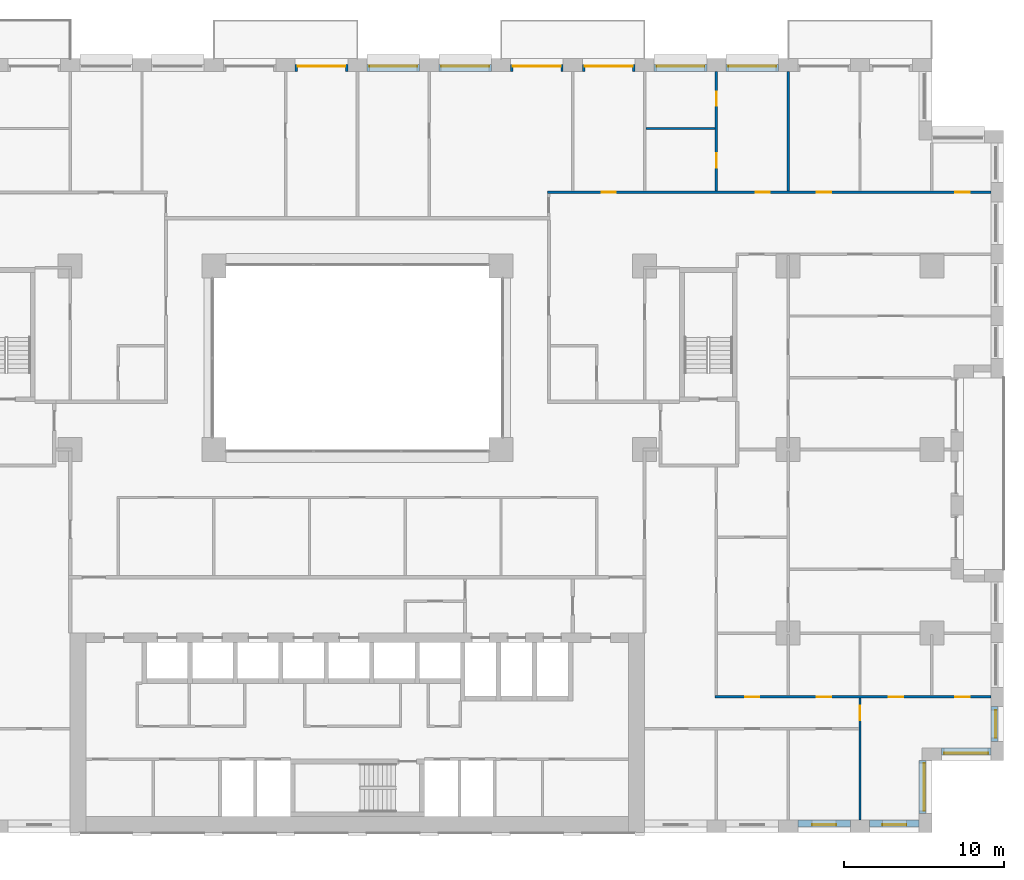
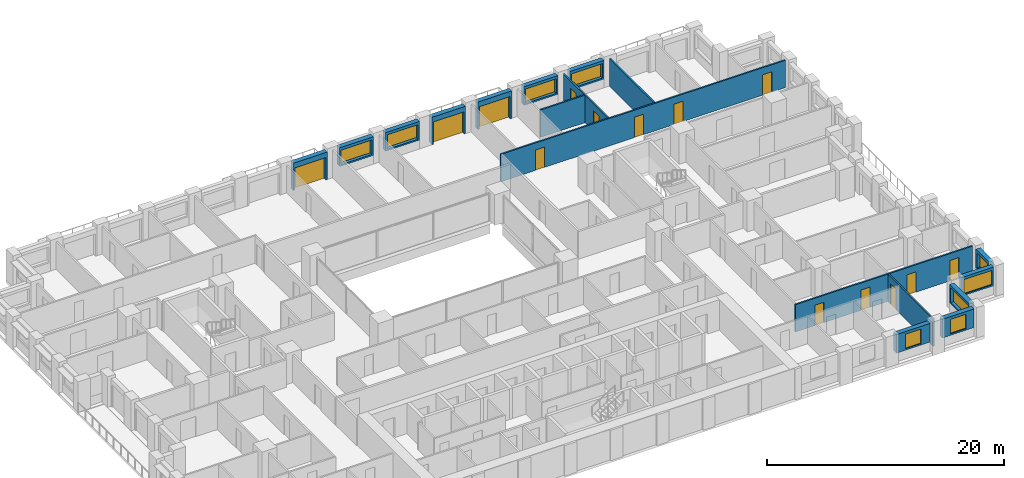
# One storey, part 15 of 19: 18 walls, 14 doors, 9 windows, 23 openings.
"""IFC4 building model written with IfcOpenShell, lengths in metres."""

from ifc_helpers import new_model, si_unit, direction, frame, frame_2d, origin, place, context, subcontext, project, spatial, rectangle, extrude, material, layer, layer_set, type_object, element, fill, save


model = new_model("IFC4")

# Units and contexts
model_context = context("Model", 3, precision=1e-05, world=origin(), true_north=direction((0.0, 1.0)))
body_context = subcontext(model_context, "Body", "Model", "MODEL_VIEW")
ifc_project = project(units=[si_unit("LENGTHUNIT", "METRE"), si_unit("AREAUNIT", "SQUARE_METRE"), si_unit("VOLUMEUNIT", "CUBIC_METRE"), si_unit("PLANEANGLEUNIT", "RADIAN"), si_unit("MASSUNIT", "GRAM", prefix="KILO")], contexts=[model_context])

# Site, building, storey
site_placement = place(None, origin())
site = spatial("IfcSite", under=ifc_project, at=site_placement, CompositionType="ELEMENT")
building_placement = place(site_placement, origin())
building = spatial("IfcBuilding", under=site, at=building_placement, Name="Brigalow Station Residences", CompositionType="ELEMENT")
storey_placement = place(building_placement, frame((0.0, 0.0, 19.5)))
storey = spatial("IfcBuildingStorey", under=building, at=storey_placement, Name="L04", CompositionType="ELEMENT", Elevation=19.5)

# Wall, opening, window
ifc_material_1 = material(Name="Clay brick masonry", Category="masonry")
ifc_layer_1 = layer(ifc_material_1, 0.449951171875)
ifc_layer_set_1 = layer_set([ifc_layer_1], Name="BRICK INFILL WALL 450")
wall_type_1 = type_object("IfcWallType", Name="BRICK INFILL WALL 450", PredefinedType="SOLIDWALL", material=ifc_layer_set_1)
wall_1_placement = place(storey_placement, frame((63.60009765625, 0.574951171875, 0.89990234375), z_axis=(0.0, 0.0, 1.0), x_axis=(1.0, 0.0, 0.0)))
wall_1 = element("IfcWall", 1, at=wall_1_placement, inside=storey, type_object=wall_type_1, Name="L04/ewall/W-L04-7", PredefinedType="SOLIDWALL", context=body_context, shape_type="SweptSolid", body=[
    extrude(rectangle(XDim=3.2998046875, YDim=0.449951171875, at=frame_2d((1.64990234375, 0.0))), origin(), (0.0, 0.0, 1.0), 1.93017578125),
])
opening_1_placement = place(wall_1_placement, frame((0.89990234375, 0.0, 0.14990234375)))
opening_1 = element("IfcOpeningElement", 2, at=opening_1_placement, cuts=wall_1, Name="Opening WT-1", PredefinedType="OPENING", context=body_context, shape_type="SweptSolid", body=[
    extrude(rectangle(XDim=1.5, YDim=1.5, at=frame_2d((0.75, 0.75))), frame((0.0, 0.23486328125, 0.0), z_axis=(0.0, -1.0, 0.0), x_axis=(1.0, 0.0, 0.0)), (0.0, 0.0, 1.0), 0.469970703125),
])
ifc_material_2 = material(Name="Anodised aluminium frame with double glazing", Category="aluminium")
window_type_1 = type_object("IfcWindowType", Name="WINDOW 1500x1500", PartitioningType="SINGLE_PANEL", PredefinedType="WINDOW", material=ifc_material_2)
window_1_placement = place(opening_1_placement, origin())
window_1 = element("IfcWindow", 3, at=window_1_placement, inside=storey, type_object=window_type_1, Name="L04/window/W-L04-7", OverallHeight=1.5, OverallWidth=1.5, PartitioningType="SINGLE_PANEL", PredefinedType="WINDOW", context=body_context, shape_type="SweptSolid", body=[
    extrude(rectangle(XDim=1.5, YDim=1.5, at=frame_2d((0.75, 0.75))), frame((0.0, -0.06494140625, 0.0), z_axis=(0.0, -1.0, 0.0), x_axis=(1.0, 0.0, 0.0)), (0.0, 0.0, 1.0), 0.06005859375),
])
fill(opening_1, window_1)

wall_2_placement = place(storey_placement, frame((68.10009765625, 0.574951171875, 0.89990234375), z_axis=(0.0, 0.0, 1.0), x_axis=(1.0, 0.0, 0.0)))
wall_2 = element("IfcWall", 4, at=wall_2_placement, inside=storey, type_object=wall_type_1, Name="L04/ewall/W-L04-8", PredefinedType="SOLIDWALL", context=body_context, shape_type="SweptSolid", body=[
    extrude(rectangle(XDim=3.099853515625, YDim=0.449951171875, at=frame_2d((1.5498046875, 0.0))), origin(), (0.0, 0.0, 1.0), 1.93017578125),
])
opening_2_placement = place(wall_2_placement, frame((0.800048828125, 0.0, 0.14990234375)))
opening_2 = element("IfcOpeningElement", 5, at=opening_2_placement, cuts=wall_2, Name="Opening WT-1", PredefinedType="OPENING", context=body_context, shape_type="SweptSolid", body=[
    extrude(rectangle(XDim=1.5, YDim=1.5, at=frame_2d((0.75, 0.75))), frame((0.0, 0.23486328125, 0.0), z_axis=(0.0, -1.0, 0.0), x_axis=(1.0, 0.0, 0.0)), (0.0, 0.0, 1.0), 0.469970703125),
])
window_2_placement = place(opening_2_placement, origin())
window_2 = element("IfcWindow", 6, at=window_2_placement, inside=storey, type_object=window_type_1, Name="L04/window/W-L04-8", OverallHeight=1.5, OverallWidth=1.5, PartitioningType="SINGLE_PANEL", PredefinedType="WINDOW", context=body_context, shape_type="SweptSolid", body=[
    extrude(rectangle(XDim=1.5, YDim=1.5, at=frame_2d((0.75, 0.75))), frame((0.0, -0.06494140625, 0.0), z_axis=(0.0, -1.0, 0.0), x_axis=(1.0, 0.0, 0.0)), (0.0, 0.0, 1.0), 0.06005859375),
])
fill(opening_2, window_2)

wall_3_placement = place(storey_placement, frame((71.425048828125, 1.199951171875, 0.89990234375), z_axis=(0.0, 0.0, 1.0), x_axis=(0.0, 1.0, 0.0)))
wall_3 = element("IfcWall", 7, at=wall_3_placement, inside=storey, type_object=wall_type_1, Name="L04/ewall/W-L04-9", PredefinedType="SOLIDWALL", context=body_context, shape_type="SweptSolid", body=[
    extrude(rectangle(XDim=3.300048828125, YDim=0.449951171875, at=frame_2d((1.64990234375, 0.0))), origin(), (0.0, 0.0, 1.0), 1.93017578125),
])
opening_3_placement = place(wall_3_placement, frame((0.14990234375, 0.0, 0.14990234375)))
opening_3 = element("IfcOpeningElement", 8, at=opening_3_placement, cuts=wall_3, Name="Opening WT-2", PredefinedType="OPENING", context=body_context, shape_type="SweptSolid", body=[
    extrude(rectangle(XDim=3.0, YDim=1.5, at=frame_2d((1.5, 0.75))), frame((0.0, 0.23486328125, 0.0), z_axis=(0.0, -1.0, 0.0), x_axis=(1.0, 0.0, 0.0)), (0.0, 0.0, 1.0), 0.469970703125),
])
ifc_material_3 = material(Name="Anodised aluminium frame with double glazing", Category="aluminium")
window_type_2 = type_object("IfcWindowType", Name="WINDOW 3000x1500", PartitioningType="SINGLE_PANEL", PredefinedType="WINDOW", material=ifc_material_3)
window_3_placement = place(opening_3_placement, origin())
window_3 = element("IfcWindow", 9, at=window_3_placement, inside=storey, type_object=window_type_2, Name="L04/window/W-L04-9", OverallHeight=1.5, OverallWidth=3.0, PartitioningType="SINGLE_PANEL", PredefinedType="WINDOW", context=body_context, shape_type="SweptSolid", body=[
    extrude(rectangle(XDim=3.0, YDim=1.5, at=frame_2d((1.5, 0.75))), frame((0.0, -0.06494140625, 0.0), z_axis=(0.0, -1.0, 0.0), x_axis=(1.0, 0.0, 0.0)), (0.0, 0.0, 1.0), 0.06005859375),
])
fill(opening_3, window_3)

wall_4_placement = place(storey_placement, frame((72.60009765625, 5.074951171875, 0.89990234375), z_axis=(0.0, 0.0, 1.0), x_axis=(1.0, 0.0, 0.0)))
wall_4 = element("IfcWall", 10, at=wall_4_placement, inside=storey, type_object=wall_type_1, Name="L04/ewall/W-L04-10", PredefinedType="SOLIDWALL", context=body_context, shape_type="SweptSolid", body=[
    extrude(rectangle(XDim=3.099853515625, YDim=0.449951171875, at=frame_2d((1.5498046875, 0.0))), origin(), (0.0, 0.0, 1.0), 1.93017578125),
])
opening_4_placement = place(wall_4_placement, frame((0.175048828125, 0.0, 0.14990234375)))
opening_4 = element("IfcOpeningElement", 11, at=opening_4_placement, cuts=wall_4, Name="Opening WT-3", PredefinedType="OPENING", context=body_context, shape_type="SweptSolid", body=[
    extrude(rectangle(XDim=2.75, YDim=1.5, at=frame_2d((1.375, 0.75))), frame((0.0, 0.23486328125, 0.0), z_axis=(0.0, -1.0, 0.0), x_axis=(1.0, 0.0, 0.0)), (0.0, 0.0, 1.0), 0.469970703125),
])
ifc_material_4 = material(Name="Anodised aluminium frame with double glazing", Category="aluminium")
window_type_3 = type_object("IfcWindowType", Name="WINDOW 2750x1500", PartitioningType="SINGLE_PANEL", PredefinedType="WINDOW", material=ifc_material_4)
window_4_placement = place(opening_4_placement, origin())
window_4 = element("IfcWindow", 12, at=window_4_placement, inside=storey, type_object=window_type_3, Name="L04/window/W-L04-10", OverallHeight=1.5, OverallWidth=2.75, PartitioningType="SINGLE_PANEL", PredefinedType="WINDOW", context=body_context, shape_type="SweptSolid", body=[
    extrude(rectangle(XDim=2.75, YDim=1.5, at=frame_2d((1.375, 0.75))), frame((0.0, -0.06494140625, 0.0), z_axis=(0.0, -1.0, 0.0), x_axis=(1.0, 0.0, 0.0)), (0.0, 0.0, 1.0), 0.06005859375),
])
fill(opening_4, window_4)

wall_5_placement = place(storey_placement, frame((75.925048828125, 5.699951171875, 0.89990234375), z_axis=(0.0, 0.0, 1.0), x_axis=(0.0, 1.0, 0.0)))
wall_5 = element("IfcWall", 13, at=wall_5_placement, inside=storey, type_object=wall_type_1, Name="L04/ewall/W-L04-11", PredefinedType="SOLIDWALL", context=body_context, shape_type="SweptSolid", body=[
    extrude(rectangle(XDim=2.199951171875, YDim=0.449951171875, at=frame_2d((1.10009765625, 0.0))), origin(), (0.0, 0.0, 1.0), 1.93017578125),
])
opening_5_placement = place(wall_5_placement, frame((0.22509765625, 0.0, 0.14990234375)))
opening_5 = element("IfcOpeningElement", 14, at=opening_5_placement, cuts=wall_5, Name="Opening WT-4", PredefinedType="OPENING", context=body_context, shape_type="SweptSolid", body=[
    extrude(rectangle(XDim=1.75, YDim=1.5, at=frame_2d((0.875, 0.75))), frame((0.0, 0.23486328125, 0.0), z_axis=(0.0, -1.0, 0.0), x_axis=(1.0, 0.0, 0.0)), (0.0, 0.0, 1.0), 0.469970703125),
])
ifc_material_5 = material(Name="Anodised aluminium frame with double glazing", Category="aluminium")
window_type_4 = type_object("IfcWindowType", Name="WINDOW 1750x1500", PartitioningType="SINGLE_PANEL", PredefinedType="WINDOW", material=ifc_material_5)
window_5_placement = place(opening_5_placement, origin())
window_5 = element("IfcWindow", 15, at=window_5_placement, inside=storey, type_object=window_type_4, Name="L04/window/W-L04-11", OverallHeight=1.5, OverallWidth=1.75, PartitioningType="SINGLE_PANEL", PredefinedType="WINDOW", context=body_context, shape_type="SweptSolid", body=[
    extrude(rectangle(XDim=1.75, YDim=1.5, at=frame_2d((0.875, 0.75))), frame((0.0, -0.06494140625, 0.0), z_axis=(0.0, -1.0, 0.0), x_axis=(1.0, 0.0, 0.0)), (0.0, 0.0, 1.0), 0.06005859375),
])
fill(opening_5, window_5)

wall_6_placement = place(storey_placement, frame((62.39990234375, 47.925048828125, 0.89990234375), z_axis=(0.0, 0.0, 1.0), x_axis=(-1.0, 0.0, 0.0)))
wall_6 = element("IfcWall", 16, at=wall_6_placement, inside=storey, type_object=wall_type_1, Name="L04/ewall/W-L04-27", PredefinedType="SOLIDWALL", context=body_context, shape_type="SweptSolid", body=[
    extrude(rectangle(XDim=3.2998046875, YDim=0.449951171875, at=frame_2d((1.64990234375, 0.0))), origin(), (0.0, 0.0, 1.0), 1.93017578125),
])
opening_6_placement = place(wall_6_placement, frame((0.14990234375, 0.0, 0.14990234375)))
opening_6 = element("IfcOpeningElement", 17, at=opening_6_placement, cuts=wall_6, Name="Opening WT-2", PredefinedType="OPENING", context=body_context, shape_type="SweptSolid", body=[
    extrude(rectangle(XDim=3.0, YDim=1.5, at=frame_2d((1.5, 0.75))), frame((0.0, 0.23486328125, 0.0), z_axis=(0.0, -1.0, 0.0), x_axis=(1.0, 0.0, 0.0)), (0.0, 0.0, 1.0), 0.469970703125),
])
window_6_placement = place(opening_6_placement, origin())
window_6 = element("IfcWindow", 18, at=window_6_placement, inside=storey, type_object=window_type_2, Name="L04/window/W-L04-27", OverallHeight=1.5, OverallWidth=3.0, PartitioningType="SINGLE_PANEL", PredefinedType="WINDOW", context=body_context, shape_type="SweptSolid", body=[
    extrude(rectangle(XDim=3.0, YDim=1.5, at=frame_2d((1.5, 0.75))), frame((0.0, -0.06494140625, 0.0), z_axis=(0.0, -1.0, 0.0), x_axis=(1.0, 0.0, 0.0)), (0.0, 0.0, 1.0), 0.06005859375),
])
fill(opening_6, window_6)

wall_7_placement = place(storey_placement, frame((57.89990234375, 47.925048828125, 0.89990234375), z_axis=(0.0, 0.0, 1.0), x_axis=(-1.0, 0.0, 0.0)))
wall_7 = element("IfcWall", 19, at=wall_7_placement, inside=storey, type_object=wall_type_1, Name="L04/ewall/W-L04-28", PredefinedType="SOLIDWALL", context=body_context, shape_type="SweptSolid", body=[
    extrude(rectangle(XDim=3.2998046875, YDim=0.449951171875, at=frame_2d((1.64990234375, 0.0))), origin(), (0.0, 0.0, 1.0), 1.93017578125),
])
opening_7_placement = place(wall_7_placement, frame((0.14990234375, 0.0, 0.14990234375)))
opening_7 = element("IfcOpeningElement", 20, at=opening_7_placement, cuts=wall_7, Name="Opening WT-2", PredefinedType="OPENING", context=body_context, shape_type="SweptSolid", body=[
    extrude(rectangle(XDim=3.0, YDim=1.5, at=frame_2d((1.5, 0.75))), frame((0.0, 0.23486328125, 0.0), z_axis=(0.0, -1.0, 0.0), x_axis=(1.0, 0.0, 0.0)), (0.0, 0.0, 1.0), 0.469970703125),
])
window_7_placement = place(opening_7_placement, origin())
window_7 = element("IfcWindow", 21, at=window_7_placement, inside=storey, type_object=window_type_2, Name="L04/window/W-L04-28", OverallHeight=1.5, OverallWidth=3.0, PartitioningType="SINGLE_PANEL", PredefinedType="WINDOW", context=body_context, shape_type="SweptSolid", body=[
    extrude(rectangle(XDim=3.0, YDim=1.5, at=frame_2d((1.5, 0.75))), frame((0.0, -0.06494140625, 0.0), z_axis=(0.0, -1.0, 0.0), x_axis=(1.0, 0.0, 0.0)), (0.0, 0.0, 1.0), 0.06005859375),
])
fill(opening_7, window_7)

# Wall, opening, door
wall_8_placement = place(storey_placement, frame((53.39990234375, 47.925048828125, 0.0), z_axis=(0.0, 0.0, 1.0), x_axis=(-1.0, 0.0, 0.0)))
wall_8 = element("IfcWall", 22, at=wall_8_placement, inside=storey, type_object=wall_type_1, Name="L04/ewall/W-L04-29", PredefinedType="SOLIDWALL", context=body_context, shape_type="SweptSolid", body=[
    extrude(rectangle(XDim=3.2998046875, YDim=0.449951171875, at=frame_2d((1.64990234375, 0.0))), origin(), (0.0, 0.0, 1.0), 2.830078125),
])
opening_8_placement = place(wall_8_placement, frame((0.14990234375, 0.0, 0.0)))
opening_8 = element("IfcOpeningElement", 23, at=opening_8_placement, cuts=wall_8, Name="Opening D-B3000", PredefinedType="OPENING", context=body_context, shape_type="SweptSolid", body=[
    extrude(rectangle(XDim=3.0, YDim=2.300048828125, at=frame_2d((1.5, 1.14990234375))), frame((0.0, 0.23486328125, 0.0), z_axis=(0.0, -1.0, 0.0), x_axis=(1.0, 0.0, 0.0)), (0.0, 0.0, 1.0), 0.469970703125),
])
ifc_material_6 = material(Name="Anodised aluminium frame with double glazing", Category="aluminium")
door_type_1 = type_object("IfcDoorType", Name="BALCONY SLIDING DOOR 3000x2300", OperationType="SLIDING_TO_LEFT", PredefinedType="DOOR", material=ifc_material_6)
door_1_placement = place(opening_8_placement, origin())
door_1 = element("IfcDoor", 24, at=door_1_placement, inside=storey, type_object=door_type_1, Name="L04/balcony-door/W-L04-29", OperationType="SLIDING_TO_LEFT", OverallHeight=2.300048828125, OverallWidth=3.0, PredefinedType="DOOR", context=body_context, shape_type="SweptSolid", body=[
    extrude(rectangle(XDim=3.0, YDim=2.300048828125, at=frame_2d((1.5, 1.14990234375))), frame((0.0, -0.06982421875, 0.0), z_axis=(0.0, -1.0, 0.0), x_axis=(1.0, 0.0, 0.0)), (0.0, 0.0, 1.0), 0.050048828125),
])
fill(opening_8, door_1)

wall_9_placement = place(storey_placement, frame((48.89990234375, 47.925048828125, 0.0), z_axis=(0.0, 0.0, 1.0), x_axis=(-1.0, 0.0, 0.0)))
wall_9 = element("IfcWall", 25, at=wall_9_placement, inside=storey, type_object=wall_type_1, Name="L04/ewall/W-L04-30", PredefinedType="SOLIDWALL", context=body_context, shape_type="SweptSolid", body=[
    extrude(rectangle(XDim=3.2998046875, YDim=0.449951171875, at=frame_2d((1.64990234375, 0.0))), origin(), (0.0, 0.0, 1.0), 2.830078125),
])
opening_9_placement = place(wall_9_placement, frame((0.14990234375, 0.0, 0.0)))
opening_9 = element("IfcOpeningElement", 26, at=opening_9_placement, cuts=wall_9, Name="Opening D-B3000", PredefinedType="OPENING", context=body_context, shape_type="SweptSolid", body=[
    extrude(rectangle(XDim=3.0, YDim=2.300048828125, at=frame_2d((1.5, 1.14990234375))), frame((0.0, 0.23486328125, 0.0), z_axis=(0.0, -1.0, 0.0), x_axis=(1.0, 0.0, 0.0)), (0.0, 0.0, 1.0), 0.469970703125),
])
door_2_placement = place(opening_9_placement, origin())
door_2 = element("IfcDoor", 27, at=door_2_placement, inside=storey, type_object=door_type_1, Name="L04/balcony-door/W-L04-30", OperationType="SLIDING_TO_LEFT", OverallHeight=2.300048828125, OverallWidth=3.0, PredefinedType="DOOR", context=body_context, shape_type="SweptSolid", body=[
    extrude(rectangle(XDim=3.0, YDim=2.300048828125, at=frame_2d((1.5, 1.14990234375))), frame((0.0, -0.06982421875, 0.0), z_axis=(0.0, -1.0, 0.0), x_axis=(1.0, 0.0, 0.0)), (0.0, 0.0, 1.0), 0.050048828125),
])
fill(opening_9, door_2)

# Wall, opening, window
wall_10_placement = place(storey_placement, frame((44.39990234375, 47.925048828125, 0.89990234375), z_axis=(0.0, 0.0, 1.0), x_axis=(-1.0, 0.0, 0.0)))
wall_10 = element("IfcWall", 28, at=wall_10_placement, inside=storey, type_object=wall_type_1, Name="L04/ewall/W-L04-31", PredefinedType="SOLIDWALL", context=body_context, shape_type="SweptSolid", body=[
    extrude(rectangle(XDim=3.2998046875, YDim=0.449951171875, at=frame_2d((1.64990234375, 0.0))), origin(), (0.0, 0.0, 1.0), 1.93017578125),
])
opening_10_placement = place(wall_10_placement, frame((0.14990234375, 0.0, 0.14990234375)))
opening_10 = element("IfcOpeningElement", 29, at=opening_10_placement, cuts=wall_10, Name="Opening WT-2", PredefinedType="OPENING", context=body_context, shape_type="SweptSolid", body=[
    extrude(rectangle(XDim=3.0, YDim=1.5, at=frame_2d((1.5, 0.75))), frame((0.0, 0.23486328125, 0.0), z_axis=(0.0, -1.0, 0.0), x_axis=(1.0, 0.0, 0.0)), (0.0, 0.0, 1.0), 0.469970703125),
])
window_8_placement = place(opening_10_placement, origin())
window_8 = element("IfcWindow", 30, at=window_8_placement, inside=storey, type_object=window_type_2, Name="L04/window/W-L04-31", OverallHeight=1.5, OverallWidth=3.0, PartitioningType="SINGLE_PANEL", PredefinedType="WINDOW", context=body_context, shape_type="SweptSolid", body=[
    extrude(rectangle(XDim=3.0, YDim=1.5, at=frame_2d((1.5, 0.75))), frame((0.0, -0.06494140625, 0.0), z_axis=(0.0, -1.0, 0.0), x_axis=(1.0, 0.0, 0.0)), (0.0, 0.0, 1.0), 0.06005859375),
])
fill(opening_10, window_8)

wall_11_placement = place(storey_placement, frame((39.89990234375, 47.925048828125, 0.89990234375), z_axis=(0.0, 0.0, 1.0), x_axis=(-1.0, 0.0, 0.0)))
wall_11 = element("IfcWall", 31, at=wall_11_placement, inside=storey, type_object=wall_type_1, Name="L04/ewall/W-L04-32", PredefinedType="SOLIDWALL", context=body_context, shape_type="SweptSolid", body=[
    extrude(rectangle(XDim=3.2998046875, YDim=0.449951171875, at=frame_2d((1.64990234375, 0.0))), origin(), (0.0, 0.0, 1.0), 1.93017578125),
])
opening_11_placement = place(wall_11_placement, frame((0.14990234375, 0.0, 0.14990234375)))
opening_11 = element("IfcOpeningElement", 32, at=opening_11_placement, cuts=wall_11, Name="Opening WT-2", PredefinedType="OPENING", context=body_context, shape_type="SweptSolid", body=[
    extrude(rectangle(XDim=3.0, YDim=1.5, at=frame_2d((1.5, 0.75))), frame((0.0, 0.23486328125, 0.0), z_axis=(0.0, -1.0, 0.0), x_axis=(1.0, 0.0, 0.0)), (0.0, 0.0, 1.0), 0.469970703125),
])
window_9_placement = place(opening_11_placement, origin())
window_9 = element("IfcWindow", 33, at=window_9_placement, inside=storey, type_object=window_type_2, Name="L04/window/W-L04-32", OverallHeight=1.5, OverallWidth=3.0, PartitioningType="SINGLE_PANEL", PredefinedType="WINDOW", context=body_context, shape_type="SweptSolid", body=[
    extrude(rectangle(XDim=3.0, YDim=1.5, at=frame_2d((1.5, 0.75))), frame((0.0, -0.06494140625, 0.0), z_axis=(0.0, -1.0, 0.0), x_axis=(1.0, 0.0, 0.0)), (0.0, 0.0, 1.0), 0.06005859375),
])
fill(opening_11, window_9)

# Wall, opening, door
wall_12_placement = place(storey_placement, frame((35.39990234375, 47.925048828125, 0.0), z_axis=(0.0, 0.0, 1.0), x_axis=(-1.0, 0.0, 0.0)))
wall_12 = element("IfcWall", 34, at=wall_12_placement, inside=storey, type_object=wall_type_1, Name="L04/ewall/W-L04-33", PredefinedType="SOLIDWALL", context=body_context, shape_type="SweptSolid", body=[
    extrude(rectangle(XDim=3.2998046875, YDim=0.449951171875, at=frame_2d((1.64990234375, 0.0))), origin(), (0.0, 0.0, 1.0), 2.830078125),
])
opening_12_placement = place(wall_12_placement, frame((0.14990234375, 0.0, 0.0)))
opening_12 = element("IfcOpeningElement", 35, at=opening_12_placement, cuts=wall_12, Name="Opening D-B3000", PredefinedType="OPENING", context=body_context, shape_type="SweptSolid", body=[
    extrude(rectangle(XDim=3.0, YDim=2.300048828125, at=frame_2d((1.5, 1.14990234375))), frame((0.0, 0.23486328125, 0.0), z_axis=(0.0, -1.0, 0.0), x_axis=(1.0, 0.0, 0.0)), (0.0, 0.0, 1.0), 0.469970703125),
])
door_3_placement = place(opening_12_placement, origin())
door_3 = element("IfcDoor", 36, at=door_3_placement, inside=storey, type_object=door_type_1, Name="L04/balcony-door/W-L04-33", OperationType="SLIDING_TO_LEFT", OverallHeight=2.300048828125, OverallWidth=3.0, PredefinedType="DOOR", context=body_context, shape_type="SweptSolid", body=[
    extrude(rectangle(XDim=3.0, YDim=2.300048828125, at=frame_2d((1.5, 1.14990234375))), frame((0.0, -0.06982421875, 0.0), z_axis=(0.0, -1.0, 0.0), x_axis=(1.0, 0.0, 0.0)), (0.0, 0.0, 1.0), 0.050048828125),
])
fill(opening_12, door_3)

# Wall, openings, doors
ifc_material_7 = material(Name="Plasterboard on steel stud partition", Category="steel")
ifc_layer_2 = layer(ifc_material_7, 0.14990234375)
ifc_layer_set_2 = layer_set([ifc_layer_2], Name="FLAT PARTITION 150")
wall_type_2 = type_object("IfcWallType", Name="FLAT PARTITION 150", PredefinedType="PARTITIONING", material=ifc_layer_set_2)
wall_13_placement = place(storey_placement, frame((58.425048828125, 8.5, 0.0), z_axis=(0.0, 0.0, 1.0), x_axis=(1.0, 0.0, 0.0)))
wall_13 = element("IfcWall", 37, at=wall_13_placement, inside=storey, type_object=wall_type_2, Name="PW-1A10", PredefinedType="PARTITIONING", context=body_context, shape_type="SweptSolid", body=[
    extrude(rectangle(XDim=17.27490234375, YDim=0.14990234375, at=frame_2d((8.637451171875, 0.0))), origin(), (0.0, 0.0, 1.0), 2.830078125),
])
opening_13_placement = place(wall_13_placement, frame((1.875, 0.0, 0.0)))
opening_13 = element("IfcOpeningElement", 38, at=opening_13_placement, cuts=wall_13, Name="Opening D-1A33", PredefinedType="OPENING", context=body_context, shape_type="SweptSolid", body=[
    extrude(rectangle(XDim=0.89990234375, YDim=2.10009765625, at=frame_2d((0.449951171875, 1.050048828125))), frame((0.0, 0.0849609375, 0.0), z_axis=(0.0, -1.0, 0.0), x_axis=(1.0, 0.0, 0.0)), (0.0, 0.0, 1.0), 0.169921875),
])
opening_14_placement = place(wall_13_placement, frame((6.375, 0.0, 0.0)))
opening_14 = element("IfcOpeningElement", 39, at=opening_14_placement, cuts=wall_13, Name="Opening D-1A34", PredefinedType="OPENING", context=body_context, shape_type="SweptSolid", body=[
    extrude(rectangle(XDim=0.89990234375, YDim=2.10009765625, at=frame_2d((0.449951171875, 1.050048828125))), frame((0.0, 0.0849609375, 0.0), z_axis=(0.0, -1.0, 0.0), x_axis=(1.0, 0.0, 0.0)), (0.0, 0.0, 1.0), 0.169921875),
])
opening_15_placement = place(wall_13_placement, frame((10.875, 0.0, 0.0)))
opening_15 = element("IfcOpeningElement", 40, at=opening_15_placement, cuts=wall_13, Name="Opening D-1A36", PredefinedType="OPENING", context=body_context, shape_type="SweptSolid", body=[
    extrude(rectangle(XDim=0.89990234375, YDim=2.10009765625, at=frame_2d((0.449951171875, 1.050048828125))), frame((0.0, 0.0849609375, 0.0), z_axis=(0.0, -1.0, 0.0), x_axis=(1.0, 0.0, 0.0)), (0.0, 0.0, 1.0), 0.169921875),
])
opening_16_placement = place(wall_13_placement, frame((15.050048828125, 0.0, 0.0)))
opening_16 = element("IfcOpeningElement", 41, at=opening_16_placement, cuts=wall_13, Name="Opening D-1A37", PredefinedType="OPENING", context=body_context, shape_type="SweptSolid", body=[
    extrude(rectangle(XDim=0.89990234375, YDim=2.10009765625, at=frame_2d((0.449951171875, 1.050048828125))), frame((0.0, 0.0849609375, 0.0), z_axis=(0.0, -1.0, 0.0), x_axis=(1.0, 0.0, 0.0)), (0.0, 0.0, 1.0), 0.169921875),
])
ifc_material_8 = material(Name="Solid-core timber door leaf", Category="wood")
door_type_2 = type_object("IfcDoorType", Name="INTERNAL DOOR 900 x 2100", OperationType="SINGLE_SWING_LEFT", PredefinedType="DOOR", material=ifc_material_8)
door_4_placement = place(opening_13_placement, origin())
door_4 = element("IfcDoor", 42, at=door_4_placement, inside=storey, type_object=door_type_2, Name="D-1A33", OperationType="SINGLE_SWING_LEFT", OverallHeight=2.10009765625, OverallWidth=0.89990234375, PredefinedType="DOOR", context=body_context, shape_type="SweptSolid", body=[
    extrude(rectangle(XDim=0.89990234375, YDim=2.10009765625, at=frame_2d((0.449951171875, 1.050048828125))), frame((0.0, 0.02490234375, 0.0), z_axis=(0.0, -1.0, 0.0), x_axis=(1.0, 0.0, 0.0)), (0.0, 0.0, 1.0), 0.050048828125),
])
fill(opening_13, door_4)
door_5_placement = place(opening_14_placement, origin())
door_5 = element("IfcDoor", 43, at=door_5_placement, inside=storey, type_object=door_type_2, Name="D-1A34", OperationType="SINGLE_SWING_LEFT", OverallHeight=2.10009765625, OverallWidth=0.89990234375, PredefinedType="DOOR", context=body_context, shape_type="SweptSolid", body=[
    extrude(rectangle(XDim=0.89990234375, YDim=2.10009765625, at=frame_2d((0.449951171875, 1.050048828125))), frame((0.0, 0.02490234375, 0.0), z_axis=(0.0, -1.0, 0.0), x_axis=(1.0, 0.0, 0.0)), (0.0, 0.0, 1.0), 0.050048828125),
])
fill(opening_14, door_5)
door_6_placement = place(opening_15_placement, origin())
door_6 = element("IfcDoor", 44, at=door_6_placement, inside=storey, type_object=door_type_2, Name="D-1A36", OperationType="SINGLE_SWING_LEFT", OverallHeight=2.10009765625, OverallWidth=0.89990234375, PredefinedType="DOOR", context=body_context, shape_type="SweptSolid", body=[
    extrude(rectangle(XDim=0.89990234375, YDim=2.10009765625, at=frame_2d((0.449951171875, 1.050048828125))), frame((0.0, 0.02490234375, 0.0), z_axis=(0.0, -1.0, 0.0), x_axis=(1.0, 0.0, 0.0)), (0.0, 0.0, 1.0), 0.050048828125),
])
fill(opening_15, door_6)
door_7_placement = place(opening_16_placement, origin())
door_7 = element("IfcDoor", 45, at=door_7_placement, inside=storey, type_object=door_type_2, Name="D-1A37", OperationType="SINGLE_SWING_RIGHT", OverallHeight=2.10009765625, OverallWidth=0.89990234375, PredefinedType="DOOR", context=body_context, shape_type="SweptSolid", body=[
    extrude(rectangle(XDim=0.89990234375, YDim=2.10009765625, at=frame_2d((0.449951171875, 1.050048828125))), frame((0.0, 0.02490234375, 0.0), z_axis=(0.0, -1.0, 0.0), x_axis=(1.0, 0.0, 0.0)), (0.0, 0.0, 1.0), 0.050048828125),
])
fill(opening_16, door_7)

wall_14_placement = place(storey_placement, frame((47.925048828125, 40.125, 0.0), z_axis=(0.0, 0.0, 1.0), x_axis=(1.0, 0.0, 0.0)))
wall_14 = element("IfcWall", 46, at=wall_14_placement, inside=storey, type_object=wall_type_2, Name="PW-1A23", PredefinedType="PARTITIONING", context=body_context, shape_type="SweptSolid", body=[
    extrude(rectangle(XDim=27.77490234375, YDim=0.14990234375, at=frame_2d((13.887451171875, 0.0))), origin(), (0.0, 0.0, 1.0), 2.830078125),
])
opening_17_placement = place(wall_14_placement, frame((16.875, 0.0, 0.0)))
opening_17 = element("IfcOpeningElement", 47, at=opening_17_placement, cuts=wall_14, Name="Opening D-1A53", PredefinedType="OPENING", context=body_context, shape_type="SweptSolid", body=[
    extrude(rectangle(XDim=0.89990234375, YDim=2.10009765625, at=frame_2d((0.449951171875, 1.050048828125))), frame((0.0, 0.0849609375, 0.0), z_axis=(0.0, -1.0, 0.0), x_axis=(1.0, 0.0, 0.0)), (0.0, 0.0, 1.0), 0.169921875),
])
opening_18_placement = place(wall_14_placement, frame((13.02490234375, 0.0, 0.0)))
opening_18 = element("IfcOpeningElement", 48, at=opening_18_placement, cuts=wall_14, Name="Opening D-1A55", PredefinedType="OPENING", context=body_context, shape_type="SweptSolid", body=[
    extrude(rectangle(XDim=0.89990234375, YDim=2.10009765625, at=frame_2d((0.449951171875, 1.050048828125))), frame((0.0, 0.0849609375, 0.0), z_axis=(0.0, -1.0, 0.0), x_axis=(1.0, 0.0, 0.0)), (0.0, 0.0, 1.0), 0.169921875),
])
opening_19_placement = place(wall_14_placement, frame((3.375, 0.0, 0.0)))
opening_19 = element("IfcOpeningElement", 49, at=opening_19_placement, cuts=wall_14, Name="Opening D-1A58", PredefinedType="OPENING", context=body_context, shape_type="SweptSolid", body=[
    extrude(rectangle(XDim=0.89990234375, YDim=2.10009765625, at=frame_2d((0.449951171875, 1.050048828125))), frame((0.0, 0.0849609375, 0.0), z_axis=(0.0, -1.0, 0.0), x_axis=(1.0, 0.0, 0.0)), (0.0, 0.0, 1.0), 0.169921875),
])
opening_20_placement = place(wall_14_placement, frame((25.550048828125, 0.0, 0.0)))
opening_20 = element("IfcOpeningElement", 50, at=opening_20_placement, cuts=wall_14, Name="Opening D-1A59", PredefinedType="OPENING", context=body_context, shape_type="SweptSolid", body=[
    extrude(rectangle(XDim=0.89990234375, YDim=2.10009765625, at=frame_2d((0.449951171875, 1.050048828125))), frame((0.0, 0.0849609375, 0.0), z_axis=(0.0, -1.0, 0.0), x_axis=(1.0, 0.0, 0.0)), (0.0, 0.0, 1.0), 0.169921875),
])
door_8_placement = place(opening_17_placement, origin())
door_8 = element("IfcDoor", 51, at=door_8_placement, inside=storey, type_object=door_type_2, Name="D-1A53", OperationType="SINGLE_SWING_RIGHT", OverallHeight=2.10009765625, OverallWidth=0.89990234375, PredefinedType="DOOR", context=body_context, shape_type="SweptSolid", body=[
    extrude(rectangle(XDim=0.89990234375, YDim=2.10009765625, at=frame_2d((0.449951171875, 1.050048828125))), frame((0.0, 0.02490234375, 0.0), z_axis=(0.0, -1.0, 0.0), x_axis=(1.0, 0.0, 0.0)), (0.0, 0.0, 1.0), 0.050048828125),
])
fill(opening_17, door_8)
door_9_placement = place(opening_18_placement, origin())
door_9 = element("IfcDoor", 52, at=door_9_placement, inside=storey, type_object=door_type_2, Name="D-1A55", OperationType="SINGLE_SWING_RIGHT", OverallHeight=2.10009765625, OverallWidth=0.89990234375, PredefinedType="DOOR", context=body_context, shape_type="SweptSolid", body=[
    extrude(rectangle(XDim=0.89990234375, YDim=2.10009765625, at=frame_2d((0.449951171875, 1.050048828125))), frame((0.0, 0.02490234375, 0.0), z_axis=(0.0, -1.0, 0.0), x_axis=(1.0, 0.0, 0.0)), (0.0, 0.0, 1.0), 0.050048828125),
])
fill(opening_18, door_9)
door_10_placement = place(opening_19_placement, origin())
door_10 = element("IfcDoor", 53, at=door_10_placement, inside=storey, type_object=door_type_2, Name="D-1A58", OperationType="SINGLE_SWING_RIGHT", OverallHeight=2.10009765625, OverallWidth=0.89990234375, PredefinedType="DOOR", context=body_context, shape_type="SweptSolid", body=[
    extrude(rectangle(XDim=0.89990234375, YDim=2.10009765625, at=frame_2d((0.449951171875, 1.050048828125))), frame((0.0, 0.02490234375, 0.0), z_axis=(0.0, -1.0, 0.0), x_axis=(1.0, 0.0, 0.0)), (0.0, 0.0, 1.0), 0.050048828125),
])
fill(opening_19, door_10)
door_11_placement = place(opening_20_placement, origin())
door_11 = element("IfcDoor", 54, at=door_11_placement, inside=storey, type_object=door_type_2, Name="D-1A59", OperationType="SINGLE_SWING_RIGHT", OverallHeight=2.10009765625, OverallWidth=0.89990234375, PredefinedType="DOOR", context=body_context, shape_type="SweptSolid", body=[
    extrude(rectangle(XDim=0.89990234375, YDim=2.10009765625, at=frame_2d((0.449951171875, 1.050048828125))), frame((0.0, 0.02490234375, 0.0), z_axis=(0.0, -1.0, 0.0), x_axis=(1.0, 0.0, 0.0)), (0.0, 0.0, 1.0), 0.050048828125),
])
fill(opening_20, door_11)

# Wall
wall_15_placement = place(storey_placement, frame((54.074951171875, 44.125, 0.0), z_axis=(0.0, 0.0, 1.0), x_axis=(1.0, 0.0, 0.0)))
element("IfcWall", 55, at=wall_15_placement, inside=storey, type_object=wall_type_2, Name="PW-1A27", PredefinedType="PARTITIONING", context=body_context, shape_type="SweptSolid", body=[
    extrude(rectangle(XDim=4.35009765625, YDim=0.14990234375, at=frame_2d((2.175048828125, 0.0))), origin(), (0.0, 0.0, 1.0), 2.830078125),
])

# Wall, openings, doors
wall_16_placement = place(storey_placement, frame((58.5, 40.199951171875, 0.0), z_axis=(0.0, 0.0, 1.0), x_axis=(0.0, 1.0, 0.0)))
wall_16 = element("IfcWall", 56, at=wall_16_placement, inside=storey, type_object=wall_type_2, Name="PW-1A63", PredefinedType="PARTITIONING", context=body_context, shape_type="SweptSolid", body=[
    extrude(rectangle(XDim=7.5, YDim=0.14990234375, at=frame_2d((3.75, 0.0))), origin(), (0.0, 0.0, 1.0), 2.830078125),
])
opening_21_placement = place(wall_16_placement, frame((1.47509765625, 0.0, 0.0)))
opening_21 = element("IfcOpeningElement", 57, at=opening_21_placement, cuts=wall_16, Name="Opening D-1A56", PredefinedType="OPENING", context=body_context, shape_type="SweptSolid", body=[
    extrude(rectangle(XDim=0.89990234375, YDim=2.10009765625, at=frame_2d((0.449951171875, 1.050048828125))), frame((0.0, 0.0849609375, 0.0), z_axis=(0.0, -1.0, 0.0), x_axis=(1.0, 0.0, 0.0)), (0.0, 0.0, 1.0), 0.169921875),
])
opening_22_placement = place(wall_16_placement, frame((5.3369140625, 0.0, 0.0)))
opening_22 = element("IfcOpeningElement", 58, at=opening_22_placement, cuts=wall_16, Name="Opening D-1A57", PredefinedType="OPENING", context=body_context, shape_type="SweptSolid", body=[
    extrude(rectangle(XDim=0.89990234375, YDim=2.10009765625, at=frame_2d((0.449951171875, 1.050048828125))), frame((0.0, 0.0849609375, 0.0), z_axis=(0.0, -1.0, 0.0), x_axis=(1.0, 0.0, 0.0)), (0.0, 0.0, 1.0), 0.169921875),
])
door_12_placement = place(opening_21_placement, origin())
door_12 = element("IfcDoor", 59, at=door_12_placement, inside=storey, type_object=door_type_2, Name="D-1A56", OperationType="SINGLE_SWING_RIGHT", OverallHeight=2.10009765625, OverallWidth=0.89990234375, PredefinedType="DOOR", context=body_context, shape_type="SweptSolid", body=[
    extrude(rectangle(XDim=0.89990234375, YDim=2.10009765625, at=frame_2d((0.449951171875, 1.050048828125))), frame((0.0, 0.02490234375, 0.0), z_axis=(0.0, -1.0, 0.0), x_axis=(1.0, 0.0, 0.0)), (0.0, 0.0, 1.0), 0.050048828125),
])
fill(opening_21, door_12)
door_13_placement = place(opening_22_placement, origin())
door_13 = element("IfcDoor", 60, at=door_13_placement, inside=storey, type_object=door_type_2, Name="D-1A57", OperationType="SINGLE_SWING_RIGHT", OverallHeight=2.10009765625, OverallWidth=0.89990234375, PredefinedType="DOOR", context=body_context, shape_type="SweptSolid", body=[
    extrude(rectangle(XDim=0.89990234375, YDim=2.10009765625, at=frame_2d((0.449951171875, 1.050048828125))), frame((0.0, 0.02490234375, 0.0), z_axis=(0.0, -1.0, 0.0), x_axis=(1.0, 0.0, 0.0)), (0.0, 0.0, 1.0), 0.050048828125),
])
fill(opening_22, door_13)

# Wall
wall_17_placement = place(storey_placement, frame((63.0, 40.199951171875, 0.0), z_axis=(0.0, 0.0, 1.0), x_axis=(0.0, 1.0, 0.0)))
element("IfcWall", 61, at=wall_17_placement, inside=storey, type_object=wall_type_2, Name="PW-1A68", PredefinedType="PARTITIONING", context=body_context, shape_type="SweptSolid", body=[
    extrude(rectangle(XDim=7.5, YDim=0.14990234375, at=frame_2d((3.75, 0.0))), origin(), (0.0, 0.0, 1.0), 2.830078125),
])

# Wall, opening, door
wall_18_placement = place(storey_placement, frame((67.5, 0.800048828125, 0.0), z_axis=(0.0, 0.0, 1.0), x_axis=(0.0, 1.0, 0.0)))
wall_18 = element("IfcWall", 62, at=wall_18_placement, inside=storey, type_object=wall_type_2, Name="PW-1A69", PredefinedType="PARTITIONING", context=body_context, shape_type="SweptSolid", body=[
    extrude(rectangle(XDim=7.625, YDim=0.14990234375, at=frame_2d((3.8125, 0.0))), origin(), (0.0, 0.0, 1.0), 2.830078125),
])
opening_23_placement = place(wall_18_placement, frame((6.25, 0.0, 0.0)))
opening_23 = element("IfcOpeningElement", 63, at=opening_23_placement, cuts=wall_18, Name="Opening D-1A35", PredefinedType="OPENING", context=body_context, shape_type="SweptSolid", body=[
    extrude(rectangle(XDim=0.89990234375, YDim=2.10009765625, at=frame_2d((0.449951171875, 1.050048828125))), frame((0.0, 0.0849609375, 0.0), z_axis=(0.0, -1.0, 0.0), x_axis=(1.0, 0.0, 0.0)), (0.0, 0.0, 1.0), 0.169921875),
])
door_14_placement = place(opening_23_placement, frame((0.89990234375, 0.0, 0.0), z_axis=(0.0, 0.0, 1.0), x_axis=(-1.0, 0.0, 0.0)))
door_14 = element("IfcDoor", 64, at=door_14_placement, inside=storey, type_object=door_type_2, Name="D-1A35", OperationType="SINGLE_SWING_LEFT", OverallHeight=2.10009765625, OverallWidth=0.89990234375, PredefinedType="DOOR", context=body_context, shape_type="SweptSolid", body=[
    extrude(rectangle(XDim=0.89990234375, YDim=2.10009765625, at=frame_2d((0.449951171875, 1.050048828125))), frame((0.0, 0.02490234375, 0.0), z_axis=(0.0, -1.0, 0.0), x_axis=(1.0, 0.0, 0.0)), (0.0, 0.0, 1.0), 0.050048828125),
])
fill(opening_23, door_14)

save(model, "model.ifc")
